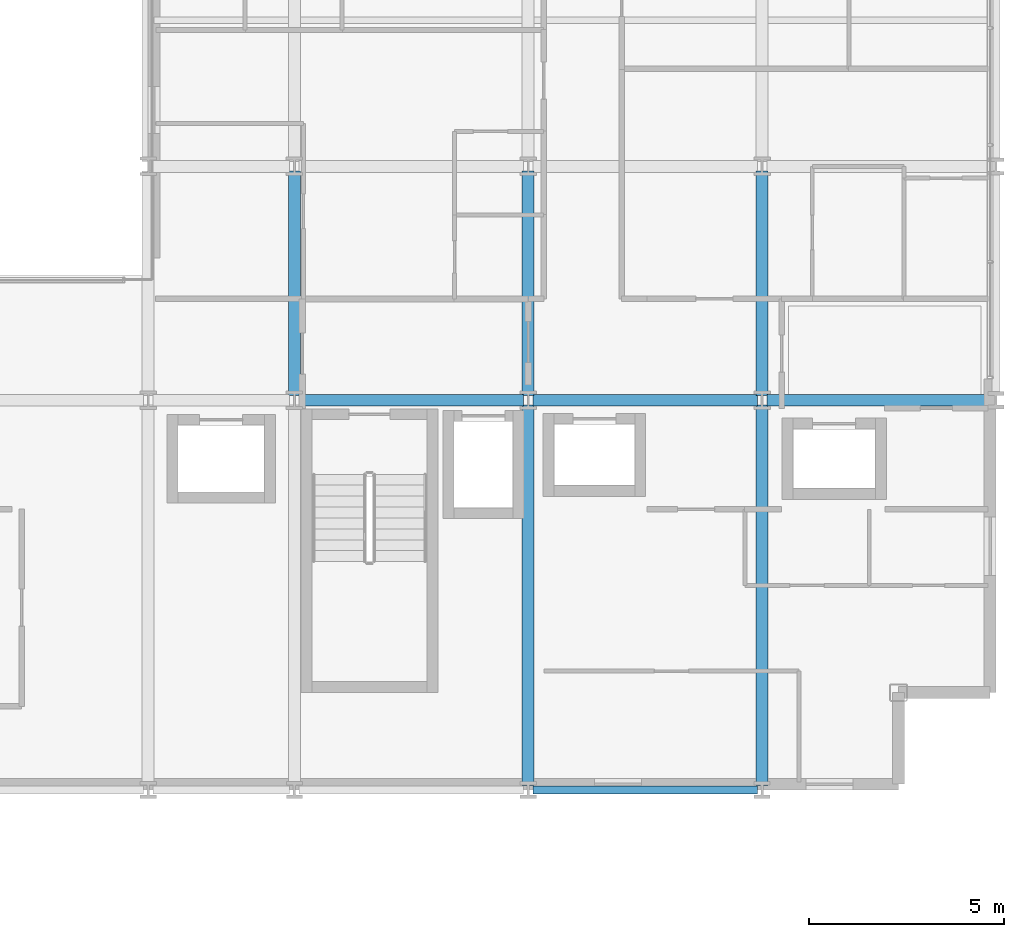
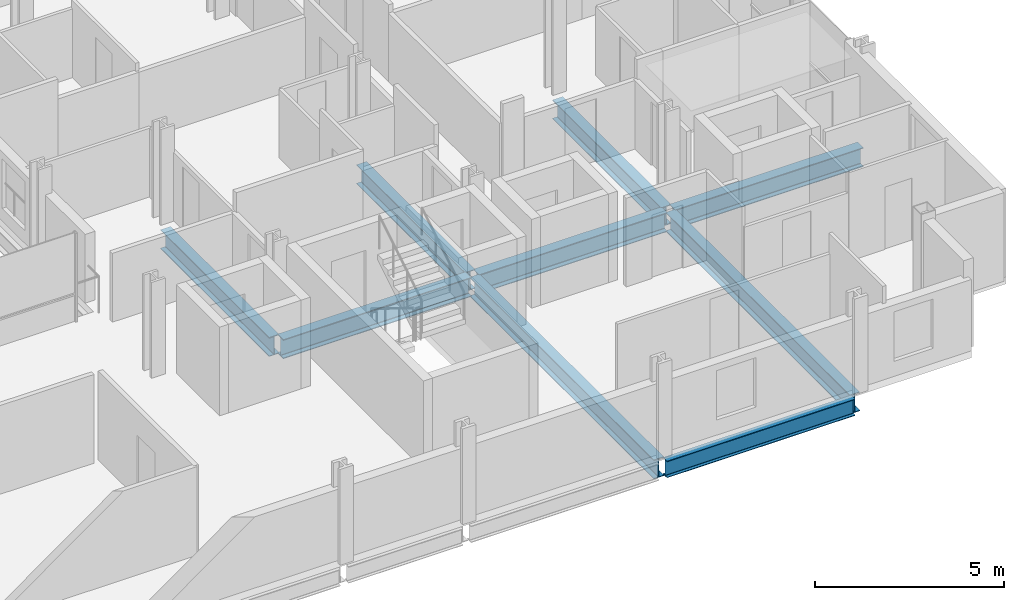
# One storey, part 14 of 41: 9 beams.
"""IFC4 building model written with IfcOpenShell, lengths in metres."""

from ifc_helpers import new_model, si_unit, direction, frame, origin, origin_2d, place, context, subcontext, project, spatial, i_section, extrude, material, material_profile, profile_set, type_object, element, save


model = new_model("IFC4")

# Units and contexts
model_context = context("Model", 3, precision=1e-05, world=origin(), true_north=direction((0.0, 1.0)))
body_context = subcontext(model_context, "Body", "Model", "MODEL_VIEW")
ifc_project = project(units=[si_unit("LENGTHUNIT", "METRE"), si_unit("AREAUNIT", "SQUARE_METRE"), si_unit("VOLUMEUNIT", "CUBIC_METRE"), si_unit("PLANEANGLEUNIT", "RADIAN"), si_unit("MASSUNIT", "GRAM", prefix="KILO")], contexts=[model_context])

# Site, building, storey
site_placement = place(None, origin())
site = spatial("IfcSite", under=ifc_project, at=site_placement, CompositionType="ELEMENT")
building_placement = place(site_placement, origin())
building = spatial("IfcBuilding", under=site, at=building_placement, Name="Brevholm Reach", CompositionType="ELEMENT")
storey_placement = place(building_placement, frame((0.0, 0.0, 55.89990234375)))
storey = spatial("IfcBuildingStorey", under=building, at=storey_placement, Name="L15", CompositionType="ELEMENT", Elevation=55.89990234375)

# Beams
ifc_material_1 = material(Name="Structural Steel S355J2", Category="steel")
ifc_material_profile_1 = material_profile(ifc_material_1, i_section(OverallWidth=0.210693359375, OverallDepth=0.53955078125, WebThickness=0.01171875, FlangeThickness=0.018798828125, FilletRadius=0.0126953125, at=origin_2d()), Name="UKB 533x210x109")
ifc_profile_set_1 = profile_set([ifc_material_profile_1], Name="Structural Steel S355J2")
beam_type_1 = type_object("IfcBeamType", Name="BM-SP539", PredefinedType="SPANDREL", material=ifc_profile_set_1)
beam_1_placement = place(storey_placement, frame((48.1201171875, 0.0, -0.499755859375), z_axis=(1.0, 0.0, 0.0), x_axis=(0.0, 1.0, 0.0)))
element("IfcBeam", 1, at=beam_1_placement, inside=storey, type_object=beam_type_1, Name="L15 SP-01B Framing Beam", PredefinedType="SPANDREL", context=body_context, shape_type="SweptSolid", body=[
    extrude(i_section(OverallWidth=0.210693359375, OverallDepth=0.53955078125, WebThickness=0.01171875, FlangeThickness=0.018798828125, FilletRadius=0.0126953125, at=origin_2d()), origin(), (0.0, 0.0, 1.0), 5.759765625),
])
ifc_material_2 = material(Name="Structural Steel S355J2", Category="steel")
ifc_material_profile_2 = material_profile(ifc_material_2, i_section(OverallWidth=0.30712890625, OverallDepth=0.6201171875, WebThickness=0.01416015625, FlangeThickness=0.023681640625, FilletRadius=0.0166015625, at=origin_2d()), Name="UKB 610x305x179")
ifc_profile_set_2 = profile_set([ifc_material_profile_2], Name="Structural Steel S355J2")
beam_type_2 = type_object("IfcBeamType", Name="BM-UKB610H", PredefinedType="USERDEFINED", material=ifc_profile_set_2)
for number, where, z_axis, x_axis, name in (
    (2, (42.1201171875, 10.0, -0.5400390625), (1.0, 0.0, 0.0), (0.0, 1.0, 0.0), "L15 G-06 Framing Beam"),
    (3, (48.1201171875, 10.0, -0.5400390625), (1.0, 0.0, 0.0), (0.0, 1.0, 0.0), "L15 G-06 Framing Beam"),
    (4, (54.1201171875, 10.0, -0.5400390625), (1.0, 0.0, 0.0), (0.0, 1.0, 0.0), "L15 G-06 Framing Beam"),
    (5, (42.0, 10.1201171875, -0.5400390625), (0.0, 1.0, 0.0), (-1.0, 0.0, 0.0), "L15 G-06 Framing Beam"),
):
    element("IfcBeam", number, at=place(storey_placement, frame(where, z_axis=z_axis, x_axis=x_axis)), inside=storey, type_object=beam_type_2, Name=name, ObjectType="GIRDER", PredefinedType="USERDEFINED", context=body_context, shape_type="SweptSolid", body=[
        extrude(i_section(OverallWidth=0.30712890625, OverallDepth=0.6201171875, WebThickness=0.01416015625, FlangeThickness=0.023681640625, FilletRadius=0.0166015625, at=origin_2d()), origin(), (0.0, 0.0, 1.0), 5.759765625),
    ])
beam_2_placement = place(storey_placement, frame((48.0, 0.1201171875, -0.5400390625), z_axis=(0.0, 1.0, 0.0), x_axis=(-1.0, 0.0, 0.0)))
element("IfcBeam", 6, at=beam_2_placement, inside=storey, type_object=beam_type_2, Name="L15 G-06 Framing Beam", ObjectType="GIRDER", PredefinedType="USERDEFINED", context=body_context, shape_type="SweptSolid", body=[
    extrude(i_section(OverallWidth=0.30712890625, OverallDepth=0.6201171875, WebThickness=0.01416015625, FlangeThickness=0.023681640625, FilletRadius=0.0166015625, at=origin_2d()), origin(), (0.0, 0.0, 1.0), 9.759765625),
])
beam_3_placement = place(storey_placement, frame((48.0, 10.1201171875, -0.5400390625), z_axis=(0.0, 1.0, 0.0), x_axis=(-1.0, 0.0, 0.0)))
element("IfcBeam", 7, at=beam_3_placement, inside=storey, type_object=beam_type_2, Name="L15 G-06 Framing Beam", ObjectType="GIRDER", PredefinedType="USERDEFINED", context=body_context, shape_type="SweptSolid", body=[
    extrude(i_section(OverallWidth=0.30712890625, OverallDepth=0.6201171875, WebThickness=0.01416015625, FlangeThickness=0.023681640625, FilletRadius=0.0166015625, at=origin_2d()), origin(), (0.0, 0.0, 1.0), 5.759765625),
])
beam_4_placement = place(storey_placement, frame((54.0, 0.1201171875, -0.5400390625), z_axis=(0.0, 1.0, 0.0), x_axis=(-1.0, 0.0, 0.0)))
element("IfcBeam", 8, at=beam_4_placement, inside=storey, type_object=beam_type_2, Name="L15 G-06 Framing Beam", ObjectType="GIRDER", PredefinedType="USERDEFINED", context=body_context, shape_type="SweptSolid", body=[
    extrude(i_section(OverallWidth=0.30712890625, OverallDepth=0.6201171875, WebThickness=0.01416015625, FlangeThickness=0.023681640625, FilletRadius=0.0166015625, at=origin_2d()), origin(), (0.0, 0.0, 1.0), 9.759765625),
])
beam_5_placement = place(storey_placement, frame((54.0, 10.1201171875, -0.5400390625), z_axis=(0.0, 1.0, 0.0), x_axis=(-1.0, 0.0, 0.0)))
element("IfcBeam", 9, at=beam_5_placement, inside=storey, type_object=beam_type_2, Name="L15 G-06 Framing Beam", ObjectType="GIRDER", PredefinedType="USERDEFINED", context=body_context, shape_type="SweptSolid", body=[
    extrude(i_section(OverallWidth=0.30712890625, OverallDepth=0.6201171875, WebThickness=0.01416015625, FlangeThickness=0.023681640625, FilletRadius=0.0166015625, at=origin_2d()), origin(), (0.0, 0.0, 1.0), 5.759765625),
])

save(model, "model.ifc")
